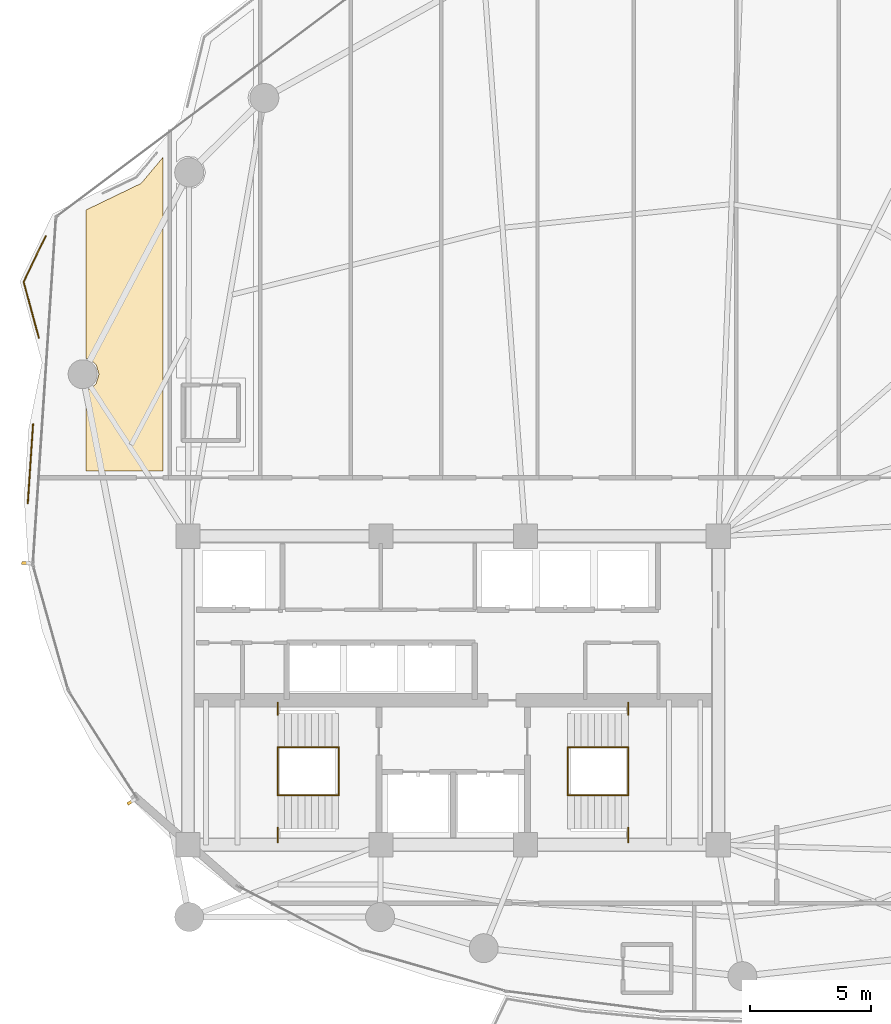
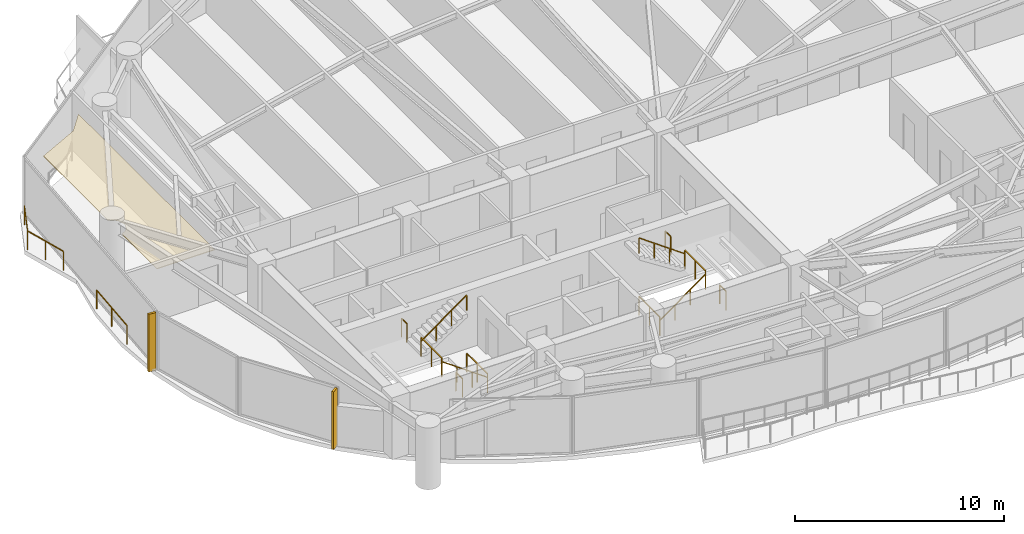
# One storey, part 29 of 31: 14 railings, 2 shading devices, 1 covering.
"""IFC4 building model written with IfcOpenShell, lengths in metres."""

from ifc_helpers import new_model, si_unit, direction, frame, origin, origin_2d, place, context, subcontext, project, spatial, polyline, rectangle, outline, extrude, material, layer, layer_set, type_object, element, save


model = new_model("IFC4")

# Units and contexts
model_context = context("Model", 3, precision=1e-05, world=origin(), true_north=direction((0.0, 1.0)))
body_context = subcontext(model_context, "Body", "Model", "MODEL_VIEW")
ifc_project = project(units=[si_unit("LENGTHUNIT", "METRE"), si_unit("AREAUNIT", "SQUARE_METRE"), si_unit("VOLUMEUNIT", "CUBIC_METRE"), si_unit("PLANEANGLEUNIT", "RADIAN"), si_unit("MASSUNIT", "GRAM", prefix="KILO")], contexts=[model_context])

# Site, building, storey
site_placement = place(None, origin())
site = spatial("IfcSite", under=ifc_project, at=site_placement, CompositionType="ELEMENT")
building_placement = place(site_placement, origin())
building = spatial("IfcBuilding", under=site, at=building_placement, Name="Kazevale Care Tower and Concert Hall", CompositionType="ELEMENT")
storey_placement = place(building_placement, frame((0.0, 0.0, 124.199951171875)))
storey = spatial("IfcBuildingStorey", under=building, at=storey_placement, Name="L32", CompositionType="ELEMENT", Elevation=124.199951171875)

# Covering
ifc_material_1 = material(Name="Acoustic Plaster and Hinoki Wood", Category="wood")
ifc_layer = layer(ifc_material_1, 0.0400390625)
ifc_layer_set = layer_set([ifc_layer], Name="Acoustic Plaster and Hinoki Wood")
covering_type = type_object("IfcCoveringType", Name="Acoustic Perforated Wood-Gypsum Ceiling", PredefinedType="CEILING", material=ifc_layer_set)
covering_placement = place(storey_placement, frame((0.0, 0.0, 2.7099609375)))
element("IfcCovering", 1, at=covering_placement, inside=storey, type_object=covering_type, Name="clg:L32:1", PredefinedType="CEILING", context=body_context, shape_type="SweptSolid", body=[
    extrude(outline(polyline([(20.055908203125, 51.035888671875), (20.969970703125, 52.125), (20.969970703125, 39.10498046875), (17.780029296875, 39.10498046875), (17.780029296875, 42.4580078125), (18.008056640625, 42.554931640625), (18.195068359375, 42.741943359375), (18.31005859375, 43.1201171875), (18.195068359375, 43.498046875), (18.008056640625, 43.68505859375), (17.780029296875, 43.781982421875), (17.780029296875, 49.93798828125), (20.055908203125, 51.035888671875)])), origin(), (0.0, 0.0, 1.0), 0.0400390625),
])

# Railings
ifc_material_2 = material(Name="Anodised Bronze Aluminium and Laminated Glass", Category="aluminium")
railing_type_1 = type_object("IfcRailingType", Name="Balcony and Terrace Balustrade 1120", PredefinedType="BALUSTRADE", material=ifc_material_2)
railing_1_placement = place(storey_placement, frame((15.35498046875, 37.77294921875, 0.0)))
element("IfcRailing", 2, at=railing_1_placement, inside=storey, type_object=railing_type_1, Name="rail:L32:perim:1", PredefinedType="BALUSTRADE", context=body_context, shape_type="SweptSolid", body=[
    extrude(rectangle(XDim=0.048095703125, YDim=0.048095703125, at=origin_2d()), frame((0.0, 0.0, 1.09619140625), z_axis=(0.066667660785, 0.997775236717, 0.0), x_axis=(-0.997775236717, 0.066667660785, 0.0)), (0.0, 0.0, 1.0), 3.270263671875),
    extrude(rectangle(XDim=0.0419921875, YDim=0.0419921875, at=origin_2d()), origin(), (0.0, 0.0, 1.0), 1.072021484375),
    extrude(rectangle(XDim=0.0419921875, YDim=0.0419921875, at=origin_2d()), frame((0.10888671875, 1.63134765625, 0.0)), (0.0, 0.0, 1.0), 1.072021484375),
    extrude(rectangle(XDim=0.0419921875, YDim=0.0419921875, at=origin_2d()), frame((0.218017578125, 3.262939453125, 0.0)), (0.0, 0.0, 1.0), 1.072021484375),
])
railing_2_placement = place(storey_placement, frame((15.81298828125, 44.631103515625, 0.0)))
element("IfcRailing", 3, at=railing_2_placement, inside=storey, type_object=railing_type_1, Name="rail:L32:perim:2", PredefinedType="BALUSTRADE", context=body_context, shape_type="SweptSolid", body=[
    extrude(rectangle(XDim=0.048095703125, YDim=0.048095703125, at=origin_2d()), frame((0.0, 0.0, 1.09619140625), z_axis=(-0.262679540439, 0.96488313232, 0.0), x_axis=(-0.96488313232, -0.262679540439, 0.0)), (0.0, 0.0, 1.0), 2.40625),
    extrude(rectangle(XDim=0.048095703125, YDim=0.048095703125, at=origin_2d()), frame((-0.632080078125, 2.32177734375, 1.09619140625), z_axis=(0.435530489305, 0.900173979232, 0.0), x_axis=(-0.900173979232, 0.435530489305, 0.0)), (0.0, 0.0, 1.0), 2.096435546875),
    extrude(rectangle(XDim=0.0419921875, YDim=0.0419921875, at=origin_2d()), origin(), (0.0, 0.0, 1.0), 1.072021484375),
    extrude(rectangle(XDim=0.0419921875, YDim=0.0419921875, at=origin_2d()), frame((-0.31591796875, 1.160888671875, 0.0)), (0.0, 0.0, 1.0), 1.072021484375),
    extrude(rectangle(XDim=0.0419921875, YDim=0.0419921875, at=origin_2d()), frame((-0.632080078125, 2.32177734375, 0.0)), (0.0, 0.0, 1.0), 1.072021484375),
    extrude(rectangle(XDim=0.0419921875, YDim=0.0419921875, at=origin_2d()), frame((0.281005859375, 4.208984375, 0.0)), (0.0, 0.0, 1.0), 1.072021484375),
])
ifc_material_3 = material(Name="Stainless Steel 316", Category="steel")
railing_type_2 = type_object("IfcRailingType", Name="Stair Pitch Handrail 920", PredefinedType="HANDRAIL", material=ifc_material_3)
railing_3_placement = place(storey_placement, frame((28.25, 25.659912109375, 0.0)))
element("IfcRailing", 4, at=railing_3_placement, inside=storey, type_object=railing_type_2, Name="stair:L32:ST1:hr1", PredefinedType="HANDRAIL", context=body_context, shape_type="SweptSolid", body=[
    extrude(rectangle(XDim=0.048095703125, YDim=0.048095703125, at=origin_2d()), frame((0.0, 0.0, 0.89599609375), z_axis=(-0.813728144527, 0.0, 0.581245650998), x_axis=(0.0, -1.0, 0.0)), (0.0, 0.0, 1.0), 3.096923828125),
    extrude(rectangle(XDim=0.0419921875, YDim=0.0419921875, at=origin_2d()), origin(), (0.0, 0.0, 1.0), 0.871826171875),
    extrude(rectangle(XDim=0.0419921875, YDim=0.0419921875, at=origin_2d()), frame((-0.840087890625, 0.0, 0.60009765625)), (0.0, 0.0, 1.0), 0.871826171875),
    extrude(rectangle(XDim=0.0419921875, YDim=0.0419921875, at=origin_2d()), frame((-1.679931640625, 0.0, 1.199951171875)), (0.0, 0.0, 1.0), 0.871826171875),
    extrude(rectangle(XDim=0.0419921875, YDim=0.0419921875, at=origin_2d()), frame((-2.52001953125, 0.0, 1.800048828125)), (0.0, 0.0, 1.0), 0.871826171875),
])
for number, where, name in (
    (5, (25.72998046875, 27.639892578125, 1.800048828125), "stair:L32:ST1:hr2"),
    (6, (37.75, 25.659912109375, 0.0), "stair:L32:ST2:hr1"),
):
    element("IfcRailing", number, at=place(storey_placement, frame(where)), inside=storey, type_object=railing_type_2, Name=name, PredefinedType="HANDRAIL", context=body_context, shape_type="SweptSolid", body=[
        extrude(rectangle(XDim=0.048095703125, YDim=0.048095703125, at=origin_2d()), frame((0.0, 0.0, 0.89599609375), z_axis=(0.813728144527, 0.0, 0.581245650998), x_axis=(0.0, 1.0, 0.0)), (0.0, 0.0, 1.0), 3.096923828125),
        extrude(rectangle(XDim=0.0419921875, YDim=0.0419921875, at=origin_2d()), origin(), (0.0, 0.0, 1.0), 0.871826171875),
        extrude(rectangle(XDim=0.0419921875, YDim=0.0419921875, at=origin_2d()), frame((0.840087890625, 0.0, 0.60009765625)), (0.0, 0.0, 1.0), 0.871826171875),
        extrude(rectangle(XDim=0.0419921875, YDim=0.0419921875, at=origin_2d()), frame((1.679931640625, 0.0, 1.199951171875)), (0.0, 0.0, 1.0), 0.871826171875),
        extrude(rectangle(XDim=0.0419921875, YDim=0.0419921875, at=origin_2d()), frame((2.52001953125, 0.0, 1.800048828125)), (0.0, 0.0, 1.0), 0.871826171875),
    ])
railing_4_placement = place(storey_placement, frame((40.27001953125, 27.639892578125, 1.800048828125)))
element("IfcRailing", 7, at=railing_4_placement, inside=storey, type_object=railing_type_2, Name="stair:L32:ST2:hr2", PredefinedType="HANDRAIL", context=body_context, shape_type="SweptSolid", body=[
    extrude(rectangle(XDim=0.048095703125, YDim=0.048095703125, at=origin_2d()), frame((0.0, 0.0, 0.89599609375), z_axis=(-0.813728144527, 0.0, 0.581245650998), x_axis=(0.0, -1.0, 0.0)), (0.0, 0.0, 1.0), 3.096923828125),
    extrude(rectangle(XDim=0.0419921875, YDim=0.0419921875, at=origin_2d()), origin(), (0.0, 0.0, 1.0), 0.871826171875),
    extrude(rectangle(XDim=0.0419921875, YDim=0.0419921875, at=origin_2d()), frame((-0.840087890625, 0.0, 0.60009765625)), (0.0, 0.0, 1.0), 0.871826171875),
    extrude(rectangle(XDim=0.0419921875, YDim=0.0419921875, at=origin_2d()), frame((-1.679931640625, 0.0, 1.199951171875)), (0.0, 0.0, 1.0), 0.871826171875),
    extrude(rectangle(XDim=0.0419921875, YDim=0.0419921875, at=origin_2d()), frame((-2.52001953125, 0.0, 1.800048828125)), (0.0, 0.0, 1.0), 0.871826171875),
])
railing_type_3 = type_object("IfcRailingType", Name="Stair Well Guard Balustrade 1120", PredefinedType="BALUSTRADE", material=ifc_material_3)
railing_5_placement = place(storey_placement, frame((25.72998046875, 23.699951171875, 1.800048828125)))
element("IfcRailing", 8, at=railing_5_placement, inside=storey, type_object=railing_type_3, Name="stair:L32:ST1:grd_side1", PredefinedType="BALUSTRADE", context=body_context, shape_type="SweptSolid", body=[
    extrude(rectangle(XDim=0.048095703125, YDim=0.048095703125, at=origin_2d()), frame((0.0, 0.0, 1.09619140625), z_axis=(0.0, 1.0, 0.0), x_axis=(-1.0, 0.0, 0.0)), (0.0, 0.0, 1.0), 0.610107421875),
    extrude(rectangle(XDim=0.0419921875, YDim=0.0419921875, at=origin_2d()), origin(), (0.0, 0.0, 1.0), 1.072021484375),
    extrude(rectangle(XDim=0.0419921875, YDim=0.0419921875, at=origin_2d()), frame((0.0, 0.610107421875, 0.0)), (0.0, 0.0, 1.0), 1.072021484375),
])
railing_6_placement = place(storey_placement, frame((25.72998046875, 28.989990234375, 1.800048828125)))
element("IfcRailing", 9, at=railing_6_placement, inside=storey, type_object=railing_type_3, Name="stair:L32:ST1:grd_side2", PredefinedType="BALUSTRADE", context=body_context, shape_type="SweptSolid", body=[
    extrude(rectangle(XDim=0.048095703125, YDim=0.048095703125, at=origin_2d()), frame((0.0, 0.0, 1.09619140625), z_axis=(0.0, 1.0, 0.0), x_axis=(-1.0, 0.0, 0.0)), (0.0, 0.0, 1.0), 0.510009765625),
    extrude(rectangle(XDim=0.0419921875, YDim=0.0419921875, at=origin_2d()), origin(), (0.0, 0.0, 1.0), 1.072021484375),
    extrude(rectangle(XDim=0.0419921875, YDim=0.0419921875, at=origin_2d()), frame((0.0, 0.510009765625, 0.0)), (0.0, 0.0, 1.0), 1.072021484375),
])
for number, where, name in (
    (10, (25.72998046875, 25.659912109375, 1.800048828125), "stair:L32:ST1:grd_mid"),
    (11, (28.25, 25.659912109375, 0.0), "stair:L32:ST1:grd_flr"),
):
    element("IfcRailing", number, at=place(storey_placement, frame(where)), inside=storey, type_object=railing_type_3, Name=name, PredefinedType="BALUSTRADE", context=body_context, shape_type="SweptSolid", body=[
        extrude(rectangle(XDim=0.048095703125, YDim=0.048095703125, at=origin_2d()), frame((0.0, 0.0, 1.09619140625), z_axis=(0.0, 1.0, 0.0), x_axis=(-1.0, 0.0, 0.0)), (0.0, 0.0, 1.0), 1.97998046875),
        extrude(rectangle(XDim=0.0419921875, YDim=0.0419921875, at=origin_2d()), origin(), (0.0, 0.0, 1.0), 1.072021484375),
        extrude(rectangle(XDim=0.0419921875, YDim=0.0419921875, at=origin_2d()), frame((0.0, 0.989990234375, 0.0)), (0.0, 0.0, 1.0), 1.072021484375),
        extrude(rectangle(XDim=0.0419921875, YDim=0.0419921875, at=origin_2d()), frame((0.0, 1.97998046875, 0.0)), (0.0, 0.0, 1.0), 1.072021484375),
    ])
railing_7_placement = place(storey_placement, frame((40.27001953125, 23.699951171875, 1.800048828125)))
element("IfcRailing", 12, at=railing_7_placement, inside=storey, type_object=railing_type_3, Name="stair:L32:ST2:grd_side1", PredefinedType="BALUSTRADE", context=body_context, shape_type="SweptSolid", body=[
    extrude(rectangle(XDim=0.048095703125, YDim=0.048095703125, at=origin_2d()), frame((0.0, 0.0, 1.09619140625), z_axis=(0.0, 1.0, 0.0), x_axis=(-1.0, 0.0, 0.0)), (0.0, 0.0, 1.0), 0.610107421875),
    extrude(rectangle(XDim=0.0419921875, YDim=0.0419921875, at=origin_2d()), origin(), (0.0, 0.0, 1.0), 1.072021484375),
    extrude(rectangle(XDim=0.0419921875, YDim=0.0419921875, at=origin_2d()), frame((0.0, 0.610107421875, 0.0)), (0.0, 0.0, 1.0), 1.072021484375),
])
railing_8_placement = place(storey_placement, frame((40.27001953125, 28.989990234375, 1.800048828125)))
element("IfcRailing", 13, at=railing_8_placement, inside=storey, type_object=railing_type_3, Name="stair:L32:ST2:grd_side2", PredefinedType="BALUSTRADE", context=body_context, shape_type="SweptSolid", body=[
    extrude(rectangle(XDim=0.048095703125, YDim=0.048095703125, at=origin_2d()), frame((0.0, 0.0, 1.09619140625), z_axis=(0.0, 1.0, 0.0), x_axis=(-1.0, 0.0, 0.0)), (0.0, 0.0, 1.0), 0.510009765625),
    extrude(rectangle(XDim=0.0419921875, YDim=0.0419921875, at=origin_2d()), origin(), (0.0, 0.0, 1.0), 1.072021484375),
    extrude(rectangle(XDim=0.0419921875, YDim=0.0419921875, at=origin_2d()), frame((0.0, 0.510009765625, 0.0)), (0.0, 0.0, 1.0), 1.072021484375),
])
for number, where, name in (
    (14, (40.27001953125, 25.659912109375, 1.800048828125), "stair:L32:ST2:grd_mid"),
    (15, (37.75, 25.659912109375, 0.0), "stair:L32:ST2:grd_flr"),
):
    element("IfcRailing", number, at=place(storey_placement, frame(where)), inside=storey, type_object=railing_type_3, Name=name, PredefinedType="BALUSTRADE", context=body_context, shape_type="SweptSolid", body=[
        extrude(rectangle(XDim=0.048095703125, YDim=0.048095703125, at=origin_2d()), frame((0.0, 0.0, 1.09619140625), z_axis=(0.0, 1.0, 0.0), x_axis=(-1.0, 0.0, 0.0)), (0.0, 0.0, 1.0), 1.97998046875),
        extrude(rectangle(XDim=0.0419921875, YDim=0.0419921875, at=origin_2d()), origin(), (0.0, 0.0, 1.0), 1.072021484375),
        extrude(rectangle(XDim=0.0419921875, YDim=0.0419921875, at=origin_2d()), frame((0.0, 0.989990234375, 0.0)), (0.0, 0.0, 1.0), 1.072021484375),
        extrude(rectangle(XDim=0.0419921875, YDim=0.0419921875, at=origin_2d()), frame((0.0, 1.97998046875, 0.0)), (0.0, 0.0, 1.0), 1.072021484375),
    ])

# Shading devices
ifc_material_4 = material(Name="Honed Ochre Limestone", Category="masonry")
shading_device_type = type_object("IfcShadingDeviceType", Name="Vertical Honed Limestone Fin FIN-01", PredefinedType="USERDEFINED", material=ifc_material_4)
for number, where, z_axis, x_axis, name in (
    (16, (19.649658203125, 25.387451171875, 0.0), (0.0, 0.0, 1.0), (-0.843391445813, -0.537299608347, 0.0), "cw:L32:f11:fin"),
    (17, (15.293212890625, 35.2802734375, 0.0), (0.0, 0.0, 1.0), (-0.997778273548, 0.066622194773, 0.0), "cw:L32:f13:fin"),
):
    element("IfcShadingDevice", number, at=place(storey_placement, frame(where, z_axis=z_axis, x_axis=x_axis)), inside=storey, type_object=shading_device_type, Name=name, ObjectType="FIN", PredefinedType="USERDEFINED", context=body_context, shape_type="SweptSolid", body=[
        extrude(rectangle(XDim=0.3798828125, YDim=0.1201171875, at=origin_2d()), origin(), (0.0, 0.0, 1.0), 3.360107421875),
    ])

save(model, "model.ifc")
